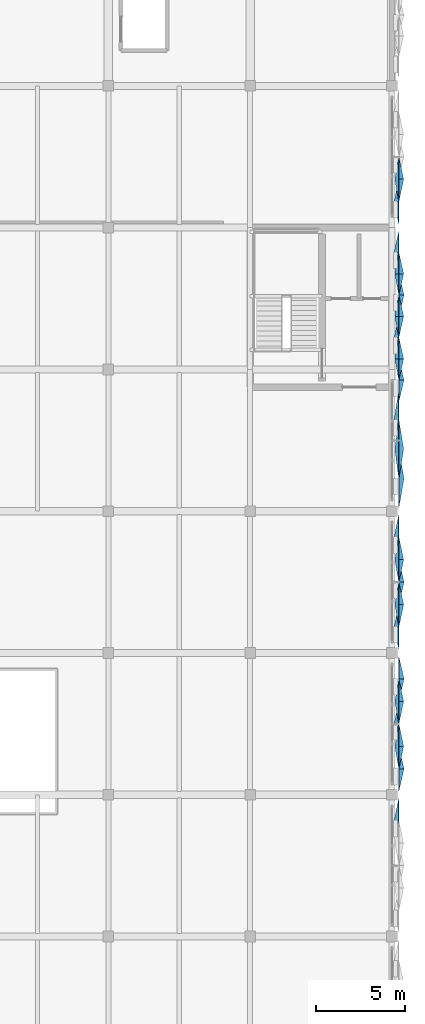
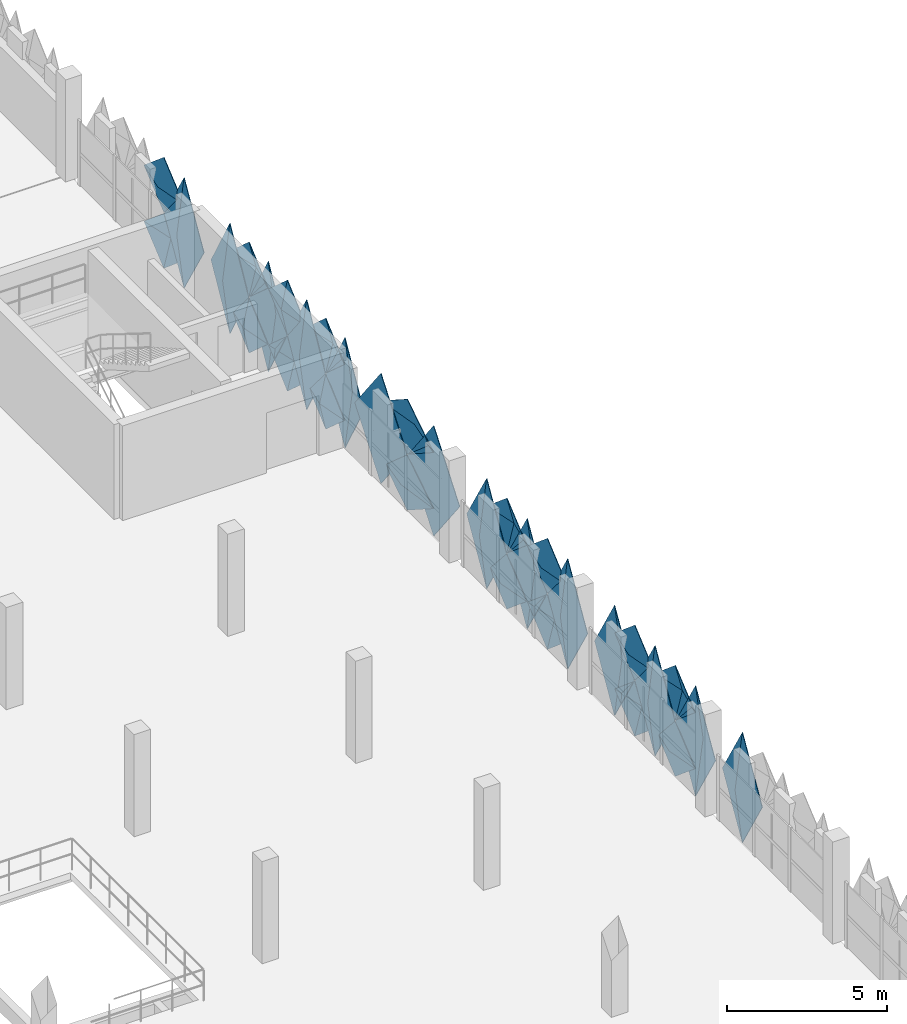
# One storey, part 97 of 123: 32 plates.
"""IFC4 building model written with IfcOpenShell, lengths in metres."""

from ifc_helpers import new_model, si_unit, derived_unit, direction, frame, origin, place, context, subcontext, project, spatial, polygons, material, layer, layer_set, type_object, element, save


model = new_model("IFC4")

# Units and contexts
model_context = context("Model", 3, precision=1e-05, world=origin(), true_north=direction((0.0, 1.0)))
body_context = subcontext(model_context, "Body", "Model", "MODEL_VIEW")
ifc_project = project(units=[si_unit("LENGTHUNIT", "METRE"), si_unit("AREAUNIT", "SQUARE_METRE"), si_unit("VOLUMEUNIT", "CUBIC_METRE"), si_unit("PLANEANGLEUNIT", "RADIAN"), si_unit("MASSUNIT", "GRAM", prefix="KILO"), si_unit("THERMODYNAMICTEMPERATUREUNIT", "KELVIN"), derived_unit("THERMALTRANSMITTANCEUNIT", [(si_unit("POWERUNIT", "WATT"), 1), (si_unit("AREAUNIT", "SQUARE_METRE"), -1), (si_unit("THERMODYNAMICTEMPERATUREUNIT", "KELVIN"), -1)])], contexts=[model_context])

# Site, building, storey
site_placement = place(None, origin())
site = spatial("IfcSite", under=ifc_project, at=site_placement, CompositionType="ELEMENT")
building_placement = place(site_placement, origin())
building = spatial("IfcBuilding", under=site, at=building_placement, Name="Haiyu Intermodal Mobility Hub", CompositionType="ELEMENT")
storey_placement = place(building_placement, frame((0.0, 0.0, 5.60009765625)))
storey = spatial("IfcBuildingStorey", under=building, at=storey_placement, Name="L01", CompositionType="ELEMENT", Elevation=5.60009765625)

# Plates
ifc_material = material(Name="Anodised aluminium 6063-T6", Category="aluminium")
ifc_layer_1 = layer(ifc_material, 0.02001953125)
ifc_layer_set_1 = layer_set([ifc_layer_1], Name="Anodised aluminium 6063-T6")
plate_type_1 = type_object("IfcPlateType", Name="PLT-FC02", PredefinedType="USERDEFINED", material=ifc_layer_set_1)
plate_1_placement = place(storey_placement, origin())
element("IfcPlate", 1, at=plate_1_placement, inside=storey, type_object=plate_type_1, Name="PLT-PYR-1367", ObjectType="FACADE CASSETTE", PredefinedType="USERDEFINED", context=body_context, shape_type="Tessellation", body=[
    polygons([(210.39990234375, 70.60009765625, -0.510009765625), (210.39990234375, 71.780029296875, 1.599853515625), (210.39990234375, 70.60009765625, 3.7099609375), (210.39990234375, 69.419921875, 1.599853515625), (210.139892578125, 70.60009765625, 1.599853515625), (210.3779296875, 70.60009765625, -0.510009765625), (210.3779296875, 71.780029296875, 1.599853515625), (210.3779296875, 70.60009765625, 3.7099609375), (210.3779296875, 69.419921875, 1.599853515625), (210.117919921875, 70.60009765625, 1.599853515625)], [[[1, 2, 5]], [[2, 3, 5]], [[3, 4, 5]], [[4, 1, 5]], [[7, 6, 10]], [[8, 7, 10]], [[9, 8, 10]], [[6, 9, 10]], [[1, 6, 7, 2]], [[2, 7, 8, 3]], [[3, 8, 9, 4]], [[4, 9, 6, 1]]], closed=True),
])
ifc_layer_2 = layer(ifc_material, 0.01806640625)
ifc_layer_set_2 = layer_set([ifc_layer_2], Name="Anodised aluminium 6063-T6")
plate_type_2 = type_object("IfcPlateType", Name="PLT-FC03", PredefinedType="USERDEFINED", material=ifc_layer_set_2)
plate_2_placement = place(storey_placement, origin())
element("IfcPlate", 2, at=plate_2_placement, inside=storey, type_object=plate_type_2, Name="PLT-PYR-1358", ObjectType="FACADE CASSETTE", PredefinedType="USERDEFINED", context=body_context, shape_type="Tessellation", body=[
    polygons([(210.39990234375, 63.39990234375, -0.510009765625), (210.39990234375, 64.580078125, 1.599853515625), (210.39990234375, 63.39990234375, 3.7099609375), (210.39990234375, 62.219970703125, 1.599853515625), (210.679931640625, 63.39990234375, 1.599853515625), (210.3779296875, 63.39990234375, -0.510009765625), (210.3779296875, 64.580078125, 1.599853515625), (210.3779296875, 63.39990234375, 3.7099609375), (210.3779296875, 62.219970703125, 1.599853515625), (210.657958984375, 63.39990234375, 1.599853515625)], [[[1, 2, 5]], [[2, 3, 5]], [[3, 4, 5]], [[4, 1, 5]], [[7, 6, 10]], [[8, 7, 10]], [[9, 8, 10]], [[6, 9, 10]], [[1, 6, 7, 2]], [[2, 7, 8, 3]], [[3, 8, 9, 4]], [[4, 9, 6, 1]]], closed=True),
])
plate_3_placement = place(storey_placement, origin())
element("IfcPlate", 3, at=plate_3_placement, inside=storey, type_object=plate_type_2, Name="PLT-PYR-1362", ObjectType="FACADE CASSETTE", PredefinedType="USERDEFINED", context=body_context, shape_type="Tessellation", body=[
    polygons([(210.39990234375, 67.0, -0.52001953125), (210.39990234375, 68.179931640625, 0.52978515625), (210.39990234375, 67.0, 1.579833984375), (210.39990234375, 65.820068359375, 0.52978515625), (210.659912109375, 67.0, 0.52978515625), (210.3779296875, 67.0, -0.52001953125), (210.3779296875, 68.179931640625, 0.52978515625), (210.3779296875, 67.0, 1.579833984375), (210.3779296875, 65.820068359375, 0.52978515625), (210.637939453125, 67.0, 0.52978515625)], [[[1, 2, 5]], [[2, 3, 5]], [[3, 4, 5]], [[4, 1, 5]], [[7, 6, 10]], [[8, 7, 10]], [[9, 8, 10]], [[6, 9, 10]], [[1, 6, 7, 2]], [[2, 7, 8, 3]], [[3, 8, 9, 4]], [[4, 9, 6, 1]]], closed=True),
])
plate_4_placement = place(storey_placement, origin())
element("IfcPlate", 4, at=plate_4_placement, inside=storey, type_object=plate_type_2, Name="PLT-PYR-1541", ObjectType="FACADE CASSETTE", PredefinedType="USERDEFINED", context=body_context, shape_type="Tessellation", body=[
    polygons([(210.39990234375, 41.467041015625, -0.510009765625), (210.39990234375, 42.712890625, 1.599853515625), (210.39990234375, 41.467041015625, 3.7099609375), (210.39990234375, 40.219970703125, 1.599853515625), (210.679931640625, 41.467041015625, 1.599853515625), (210.3779296875, 41.467041015625, -0.510009765625), (210.3779296875, 42.712890625, 1.599853515625), (210.3779296875, 41.467041015625, 3.7099609375), (210.3779296875, 40.219970703125, 1.599853515625), (210.657958984375, 41.467041015625, 1.599853515625)], [[[1, 2, 5]], [[2, 3, 5]], [[3, 4, 5]], [[4, 1, 5]], [[7, 6, 10]], [[8, 7, 10]], [[9, 8, 10]], [[6, 9, 10]], [[1, 6, 7, 2]], [[2, 7, 8, 3]], [[3, 8, 9, 4]], [[4, 9, 6, 1]]], closed=True),
])
plate_5_placement = place(storey_placement, origin())
element("IfcPlate", 5, at=plate_5_placement, inside=storey, type_object=plate_type_2, Name="PLT-PYR-1545", ObjectType="FACADE CASSETTE", PredefinedType="USERDEFINED", context=body_context, shape_type="Tessellation", body=[
    polygons([(210.39990234375, 45.26708984375, -0.52001953125), (210.39990234375, 46.512939453125, 0.52978515625), (210.39990234375, 45.26708984375, 1.579833984375), (210.39990234375, 44.02001953125, 0.52978515625), (210.659912109375, 45.26708984375, 0.52978515625), (210.3779296875, 45.26708984375, -0.52001953125), (210.3779296875, 46.512939453125, 0.52978515625), (210.3779296875, 45.26708984375, 1.579833984375), (210.3779296875, 44.02001953125, 0.52978515625), (210.637939453125, 45.26708984375, 0.52978515625)], [[[1, 2, 5]], [[2, 3, 5]], [[3, 4, 5]], [[4, 1, 5]], [[7, 6, 10]], [[8, 7, 10]], [[9, 8, 10]], [[6, 9, 10]], [[1, 6, 7, 2]], [[2, 7, 8, 3]], [[3, 8, 9, 4]], [[4, 9, 6, 1]]], closed=True),
])
plate_6_placement = place(storey_placement, origin())
element("IfcPlate", 6, at=plate_6_placement, inside=storey, type_object=plate_type_2, Name="PLT-PYR-1549", ObjectType="FACADE CASSETTE", PredefinedType="USERDEFINED", context=body_context, shape_type="Tessellation", body=[
    polygons([(210.39990234375, 50.73291015625, -0.52001953125), (210.39990234375, 51.97998046875, 0.52978515625), (210.39990234375, 50.73291015625, 1.579833984375), (210.39990234375, 49.487060546875, 0.52978515625), (210.659912109375, 50.73291015625, 0.52978515625), (210.3779296875, 50.73291015625, -0.52001953125), (210.3779296875, 51.97998046875, 0.52978515625), (210.3779296875, 50.73291015625, 1.579833984375), (210.3779296875, 49.487060546875, 0.52978515625), (210.637939453125, 50.73291015625, 0.52978515625)], [[[1, 2, 5]], [[2, 3, 5]], [[3, 4, 5]], [[4, 1, 5]], [[7, 6, 10]], [[8, 7, 10]], [[9, 8, 10]], [[6, 9, 10]], [[1, 6, 7, 2]], [[2, 7, 8, 3]], [[3, 8, 9, 4]], [[4, 9, 6, 1]]], closed=True),
])
plate_7_placement = place(storey_placement, origin())
element("IfcPlate", 7, at=plate_7_placement, inside=storey, type_object=plate_type_2, Name="PLT-PYR-1555", ObjectType="FACADE CASSETTE", PredefinedType="USERDEFINED", context=body_context, shape_type="Tessellation", body=[
    polygons([(210.39990234375, 57.85009765625, -0.510009765625), (210.39990234375, 59.47998046875, 1.599853515625), (210.39990234375, 57.85009765625, 3.7099609375), (210.39990234375, 56.219970703125, 1.599853515625), (210.679931640625, 57.85009765625, 1.599853515625), (210.3779296875, 57.85009765625, -0.510009765625), (210.3779296875, 59.47998046875, 1.599853515625), (210.3779296875, 57.85009765625, 3.7099609375), (210.3779296875, 56.219970703125, 1.599853515625), (210.657958984375, 57.85009765625, 1.599853515625)], [[[1, 2, 5]], [[2, 3, 5]], [[3, 4, 5]], [[4, 1, 5]], [[7, 6, 10]], [[8, 7, 10]], [[9, 8, 10]], [[6, 9, 10]], [[1, 6, 7, 2]], [[2, 7, 8, 3]], [[3, 8, 9, 4]], [[4, 9, 6, 1]]], closed=True),
])
plate_8_placement = place(storey_placement, origin())
element("IfcPlate", 8, at=plate_8_placement, inside=storey, type_object=plate_type_2, Name="PLT-PYR-1560", ObjectType="FACADE CASSETTE", PredefinedType="USERDEFINED", context=body_context, shape_type="Tessellation", body=[
    polygons([(210.39990234375, 74.73291015625, -0.52001953125), (210.39990234375, 75.97998046875, 0.52978515625), (210.39990234375, 74.73291015625, 1.579833984375), (210.39990234375, 73.487060546875, 0.52978515625), (210.659912109375, 74.73291015625, 0.52978515625), (210.3779296875, 74.73291015625, -0.52001953125), (210.3779296875, 75.97998046875, 0.52978515625), (210.3779296875, 74.73291015625, 1.579833984375), (210.3779296875, 73.487060546875, 0.52978515625), (210.637939453125, 74.73291015625, 0.52978515625)], [[[1, 2, 5]], [[2, 3, 5]], [[3, 4, 5]], [[4, 1, 5]], [[7, 6, 10]], [[8, 7, 10]], [[9, 8, 10]], [[6, 9, 10]], [[1, 6, 7, 2]], [[2, 7, 8, 3]], [[3, 8, 9, 4]], [[4, 9, 6, 1]]], closed=True),
])
ifc_layer_3 = layer(ifc_material, 0.02001953125)
ifc_layer_set_3 = layer_set([ifc_layer_3], Name="Anodised aluminium 6063-T6")
plate_type_3 = type_object("IfcPlateType", Name="PLT-FC04", PredefinedType="USERDEFINED", material=ifc_layer_set_3)
plate_9_placement = place(storey_placement, origin())
element("IfcPlate", 9, at=plate_9_placement, inside=storey, type_object=plate_type_3, Name="PLT-PYR-1359", ObjectType="FACADE CASSETTE", PredefinedType="USERDEFINED", context=body_context, shape_type="Tessellation", body=[
    polygons([(210.39990234375, 64.60009765625, -0.52001953125), (210.39990234375, 65.780029296875, 0.52978515625), (210.39990234375, 64.60009765625, 1.579833984375), (210.39990234375, 63.419921875, 0.52978515625), (210.179931640625, 64.60009765625, 0.52978515625), (210.3779296875, 64.60009765625, -0.52001953125), (210.3779296875, 65.780029296875, 0.52978515625), (210.3779296875, 64.60009765625, 1.579833984375), (210.3779296875, 63.419921875, 0.52978515625), (210.157958984375, 64.60009765625, 0.52978515625)], [[[1, 2, 5]], [[2, 3, 5]], [[3, 4, 5]], [[4, 1, 5]], [[7, 6, 10]], [[8, 7, 10]], [[9, 8, 10]], [[6, 9, 10]], [[1, 6, 7, 2]], [[2, 7, 8, 3]], [[3, 8, 9, 4]], [[4, 9, 6, 1]]], closed=True),
])
plate_10_placement = place(storey_placement, origin())
element("IfcPlate", 10, at=plate_10_placement, inside=storey, type_object=plate_type_3, Name="PLT-PYR-1365", ObjectType="FACADE CASSETTE", PredefinedType="USERDEFINED", context=body_context, shape_type="Tessellation", body=[
    polygons([(210.39990234375, 69.39990234375, -0.52001953125), (210.39990234375, 70.580078125, 0.52978515625), (210.39990234375, 69.39990234375, 1.579833984375), (210.39990234375, 68.219970703125, 0.52978515625), (210.179931640625, 69.39990234375, 0.52978515625), (210.3779296875, 69.39990234375, -0.52001953125), (210.3779296875, 70.580078125, 0.52978515625), (210.3779296875, 69.39990234375, 1.579833984375), (210.3779296875, 68.219970703125, 0.52978515625), (210.157958984375, 69.39990234375, 0.52978515625)], [[[1, 2, 5]], [[2, 3, 5]], [[3, 4, 5]], [[4, 1, 5]], [[7, 6, 10]], [[8, 7, 10]], [[9, 8, 10]], [[6, 9, 10]], [[1, 6, 7, 2]], [[2, 7, 8, 3]], [[3, 8, 9, 4]], [[4, 9, 6, 1]]], closed=True),
])
plate_11_placement = place(storey_placement, origin())
element("IfcPlate", 11, at=plate_11_placement, inside=storey, type_object=plate_type_3, Name="PLT-PYR-1542", ObjectType="FACADE CASSETTE", PredefinedType="USERDEFINED", context=body_context, shape_type="Tessellation", body=[
    polygons([(210.39990234375, 42.73291015625, -0.52001953125), (210.39990234375, 43.97998046875, 0.52978515625), (210.39990234375, 42.73291015625, 1.579833984375), (210.39990234375, 41.487060546875, 0.52978515625), (210.179931640625, 42.73291015625, 0.52978515625), (210.3779296875, 42.73291015625, -0.52001953125), (210.3779296875, 43.97998046875, 0.52978515625), (210.3779296875, 42.73291015625, 1.579833984375), (210.3779296875, 41.487060546875, 0.52978515625), (210.157958984375, 42.73291015625, 0.52978515625)], [[[1, 2, 5]], [[2, 3, 5]], [[3, 4, 5]], [[4, 1, 5]], [[7, 6, 10]], [[8, 7, 10]], [[9, 8, 10]], [[6, 9, 10]], [[1, 6, 7, 2]], [[2, 7, 8, 3]], [[3, 8, 9, 4]], [[4, 9, 6, 1]]], closed=True),
])
plate_12_placement = place(storey_placement, origin())
element("IfcPlate", 12, at=plate_12_placement, inside=storey, type_object=plate_type_3, Name="PLT-PYR-1548", ObjectType="FACADE CASSETTE", PredefinedType="USERDEFINED", context=body_context, shape_type="Tessellation", body=[
    polygons([(210.39990234375, 49.467041015625, -0.510009765625), (210.39990234375, 50.712890625, 1.599853515625), (210.39990234375, 49.467041015625, 3.7099609375), (210.39990234375, 48.219970703125, 1.599853515625), (210.139892578125, 49.467041015625, 1.599853515625), (210.3779296875, 49.467041015625, -0.510009765625), (210.3779296875, 50.712890625, 1.599853515625), (210.3779296875, 49.467041015625, 3.7099609375), (210.3779296875, 48.219970703125, 1.599853515625), (210.117919921875, 49.467041015625, 1.599853515625)], [[[1, 2, 5]], [[2, 3, 5]], [[3, 4, 5]], [[4, 1, 5]], [[7, 6, 10]], [[8, 7, 10]], [[9, 8, 10]], [[6, 9, 10]], [[1, 6, 7, 2]], [[2, 7, 8, 3]], [[3, 8, 9, 4]], [[4, 9, 6, 1]]], closed=True),
])
plate_13_placement = place(storey_placement, origin())
element("IfcPlate", 13, at=plate_13_placement, inside=storey, type_object=plate_type_3, Name="PLT-PYR-1552", ObjectType="FACADE CASSETTE", PredefinedType="USERDEFINED", context=body_context, shape_type="Tessellation", body=[
    polygons([(210.39990234375, 53.26708984375, -0.52001953125), (210.39990234375, 54.512939453125, 0.52978515625), (210.39990234375, 53.26708984375, 1.579833984375), (210.39990234375, 52.02001953125, 0.52978515625), (210.179931640625, 53.26708984375, 0.52978515625), (210.3779296875, 53.26708984375, -0.52001953125), (210.3779296875, 54.512939453125, 0.52978515625), (210.3779296875, 53.26708984375, 1.579833984375), (210.3779296875, 52.02001953125, 0.52978515625), (210.157958984375, 53.26708984375, 0.52978515625)], [[[1, 2, 5]], [[2, 3, 5]], [[3, 4, 5]], [[4, 1, 5]], [[7, 6, 10]], [[8, 7, 10]], [[9, 8, 10]], [[6, 9, 10]], [[1, 6, 7, 2]], [[2, 7, 8, 3]], [[3, 8, 9, 4]], [[4, 9, 6, 1]]], closed=True),
])
plate_14_placement = place(storey_placement, origin())
element("IfcPlate", 14, at=plate_14_placement, inside=storey, type_object=plate_type_3, Name="PLT-PYR-1556", ObjectType="FACADE CASSETTE", PredefinedType="USERDEFINED", context=body_context, shape_type="Tessellation", body=[
    polygons([(210.39990234375, 59.5, -0.52001953125), (210.39990234375, 61.1298828125, 0.52978515625), (210.39990234375, 59.5, 1.579833984375), (210.39990234375, 57.8701171875, 0.52978515625), (210.179931640625, 59.5, 0.52978515625), (210.3779296875, 59.5, -0.52001953125), (210.3779296875, 61.1298828125, 0.52978515625), (210.3779296875, 59.5, 1.579833984375), (210.3779296875, 57.8701171875, 0.52978515625), (210.157958984375, 59.5, 0.52978515625)], [[[1, 2, 5]], [[2, 3, 5]], [[3, 4, 5]], [[4, 1, 5]], [[7, 6, 10]], [[8, 7, 10]], [[9, 8, 10]], [[6, 9, 10]], [[1, 6, 7, 2]], [[2, 7, 8, 3]], [[3, 8, 9, 4]], [[4, 9, 6, 1]]], closed=True),
])
plate_15_placement = place(storey_placement, origin())
element("IfcPlate", 15, at=plate_15_placement, inside=storey, type_object=plate_type_3, Name="PLT-PYR-1559", ObjectType="FACADE CASSETTE", PredefinedType="USERDEFINED", context=body_context, shape_type="Tessellation", body=[
    polygons([(210.39990234375, 73.467041015625, -0.510009765625), (210.39990234375, 74.712890625, 1.599853515625), (210.39990234375, 73.467041015625, 3.7099609375), (210.39990234375, 72.219970703125, 1.599853515625), (210.139892578125, 73.467041015625, 1.599853515625), (210.3779296875, 73.467041015625, -0.510009765625), (210.3779296875, 74.712890625, 1.599853515625), (210.3779296875, 73.467041015625, 3.7099609375), (210.3779296875, 72.219970703125, 1.599853515625), (210.117919921875, 73.467041015625, 1.599853515625)], [[[1, 2, 5]], [[2, 3, 5]], [[3, 4, 5]], [[4, 1, 5]], [[7, 6, 10]], [[8, 7, 10]], [[9, 8, 10]], [[6, 9, 10]], [[1, 6, 7, 2]], [[2, 7, 8, 3]], [[3, 8, 9, 4]], [[4, 9, 6, 1]]], closed=True),
])
ifc_layer_4 = layer(ifc_material, 0.01806640625)
ifc_layer_set_4 = layer_set([ifc_layer_4], Name="Anodised aluminium 6063-T6")
plate_type_4 = type_object("IfcPlateType", Name="PLT-FC05", PredefinedType="USERDEFINED", material=ifc_layer_set_4)
plate_16_placement = place(storey_placement, origin())
element("IfcPlate", 16, at=plate_16_placement, inside=storey, type_object=plate_type_4, Name="PLT-PYR-1360", ObjectType="FACADE CASSETTE", PredefinedType="USERDEFINED", context=body_context, shape_type="Tessellation", body=[
    polygons([(210.39990234375, 64.60009765625, 1.619873046875), (210.39990234375, 65.780029296875, 2.669921875), (210.39990234375, 64.60009765625, 3.719970703125), (210.39990234375, 63.419921875, 2.669921875), (210.659912109375, 64.60009765625, 2.669921875), (210.3779296875, 64.60009765625, 1.619873046875), (210.3779296875, 65.780029296875, 2.669921875), (210.3779296875, 64.60009765625, 3.719970703125), (210.3779296875, 63.419921875, 2.669921875), (210.637939453125, 64.60009765625, 2.669921875)], [[[1, 2, 5]], [[2, 3, 5]], [[3, 4, 5]], [[4, 1, 5]], [[7, 6, 10]], [[8, 7, 10]], [[9, 8, 10]], [[6, 9, 10]], [[1, 6, 7, 2]], [[2, 7, 8, 3]], [[3, 8, 9, 4]], [[4, 9, 6, 1]]], closed=True),
])
plate_17_placement = place(storey_placement, origin())
element("IfcPlate", 17, at=plate_17_placement, inside=storey, type_object=plate_type_4, Name="PLT-PYR-1366", ObjectType="FACADE CASSETTE", PredefinedType="USERDEFINED", context=body_context, shape_type="Tessellation", body=[
    polygons([(210.39990234375, 69.39990234375, 1.619873046875), (210.39990234375, 70.580078125, 2.669921875), (210.39990234375, 69.39990234375, 3.719970703125), (210.39990234375, 68.219970703125, 2.669921875), (210.659912109375, 69.39990234375, 2.669921875), (210.3779296875, 69.39990234375, 1.619873046875), (210.3779296875, 70.580078125, 2.669921875), (210.3779296875, 69.39990234375, 3.719970703125), (210.3779296875, 68.219970703125, 2.669921875), (210.637939453125, 69.39990234375, 2.669921875)], [[[1, 2, 5]], [[2, 3, 5]], [[3, 4, 5]], [[4, 1, 5]], [[7, 6, 10]], [[8, 7, 10]], [[9, 8, 10]], [[6, 9, 10]], [[1, 6, 7, 2]], [[2, 7, 8, 3]], [[3, 8, 9, 4]], [[4, 9, 6, 1]]], closed=True),
])
plate_18_placement = place(storey_placement, origin())
element("IfcPlate", 18, at=plate_18_placement, inside=storey, type_object=plate_type_4, Name="PLT-PYR-1543", ObjectType="FACADE CASSETTE", PredefinedType="USERDEFINED", context=body_context, shape_type="Tessellation", body=[
    polygons([(210.39990234375, 42.73291015625, 1.619873046875), (210.39990234375, 43.97998046875, 2.669921875), (210.39990234375, 42.73291015625, 3.719970703125), (210.39990234375, 41.487060546875, 2.669921875), (210.659912109375, 42.73291015625, 2.669921875), (210.3779296875, 42.73291015625, 1.619873046875), (210.3779296875, 43.97998046875, 2.669921875), (210.3779296875, 42.73291015625, 3.719970703125), (210.3779296875, 41.487060546875, 2.669921875), (210.637939453125, 42.73291015625, 2.669921875)], [[[1, 2, 5]], [[2, 3, 5]], [[3, 4, 5]], [[4, 1, 5]], [[7, 6, 10]], [[8, 7, 10]], [[9, 8, 10]], [[6, 9, 10]], [[1, 6, 7, 2]], [[2, 7, 8, 3]], [[3, 8, 9, 4]], [[4, 9, 6, 1]]], closed=True),
])
plate_19_placement = place(storey_placement, origin())
element("IfcPlate", 19, at=plate_19_placement, inside=storey, type_object=plate_type_4, Name="PLT-PYR-1551", ObjectType="FACADE CASSETTE", PredefinedType="USERDEFINED", context=body_context, shape_type="Tessellation", body=[
    polygons([(210.39990234375, 52.0, -0.510009765625), (210.39990234375, 53.2470703125, 1.599853515625), (210.39990234375, 52.0, 3.7099609375), (210.39990234375, 50.7529296875, 1.599853515625), (210.679931640625, 52.0, 1.599853515625), (210.3779296875, 52.0, -0.510009765625), (210.3779296875, 53.2470703125, 1.599853515625), (210.3779296875, 52.0, 3.7099609375), (210.3779296875, 50.7529296875, 1.599853515625), (210.657958984375, 52.0, 1.599853515625)], [[[1, 2, 5]], [[2, 3, 5]], [[3, 4, 5]], [[4, 1, 5]], [[7, 6, 10]], [[8, 7, 10]], [[9, 8, 10]], [[6, 9, 10]], [[1, 6, 7, 2]], [[2, 7, 8, 3]], [[3, 8, 9, 4]], [[4, 9, 6, 1]]], closed=True),
])
plate_20_placement = place(storey_placement, origin())
element("IfcPlate", 20, at=plate_20_placement, inside=storey, type_object=plate_type_4, Name="PLT-PYR-1553", ObjectType="FACADE CASSETTE", PredefinedType="USERDEFINED", context=body_context, shape_type="Tessellation", body=[
    polygons([(210.39990234375, 53.26708984375, 1.619873046875), (210.39990234375, 54.512939453125, 2.669921875), (210.39990234375, 53.26708984375, 3.719970703125), (210.39990234375, 52.02001953125, 2.669921875), (210.659912109375, 53.26708984375, 2.669921875), (210.3779296875, 53.26708984375, 1.619873046875), (210.3779296875, 54.512939453125, 2.669921875), (210.3779296875, 53.26708984375, 3.719970703125), (210.3779296875, 52.02001953125, 2.669921875), (210.637939453125, 53.26708984375, 2.669921875)], [[[1, 2, 5]], [[2, 3, 5]], [[3, 4, 5]], [[4, 1, 5]], [[7, 6, 10]], [[8, 7, 10]], [[9, 8, 10]], [[6, 9, 10]], [[1, 6, 7, 2]], [[2, 7, 8, 3]], [[3, 8, 9, 4]], [[4, 9, 6, 1]]], closed=True),
])
plate_21_placement = place(storey_placement, origin())
element("IfcPlate", 21, at=plate_21_placement, inside=storey, type_object=plate_type_4, Name="PLT-PYR-1557", ObjectType="FACADE CASSETTE", PredefinedType="USERDEFINED", context=body_context, shape_type="Tessellation", body=[
    polygons([(210.39990234375, 59.5, 1.619873046875), (210.39990234375, 61.1298828125, 2.669921875), (210.39990234375, 59.5, 3.719970703125), (210.39990234375, 57.8701171875, 2.669921875), (210.659912109375, 59.5, 2.669921875), (210.3779296875, 59.5, 1.619873046875), (210.3779296875, 61.1298828125, 2.669921875), (210.3779296875, 59.5, 3.719970703125), (210.3779296875, 57.8701171875, 2.669921875), (210.637939453125, 59.5, 2.669921875)], [[[1, 2, 5]], [[2, 3, 5]], [[3, 4, 5]], [[4, 1, 5]], [[7, 6, 10]], [[8, 7, 10]], [[9, 8, 10]], [[6, 9, 10]], [[1, 6, 7, 2]], [[2, 7, 8, 3]], [[3, 8, 9, 4]], [[4, 9, 6, 1]]], closed=True),
])
ifc_layer_5 = layer(ifc_material, 0.02001953125)
ifc_layer_set_5 = layer_set([ifc_layer_5], Name="Anodised aluminium 6063-T6")
plate_type_5 = type_object("IfcPlateType", Name="PLT-FC06", PredefinedType="USERDEFINED", material=ifc_layer_set_5)
plate_22_placement = place(storey_placement, origin())
element("IfcPlate", 22, at=plate_22_placement, inside=storey, type_object=plate_type_5, Name="PLT-PYR-1361", ObjectType="FACADE CASSETTE", PredefinedType="USERDEFINED", context=body_context, shape_type="Tessellation", body=[
    polygons([(210.39990234375, 65.800048828125, -0.510009765625), (210.39990234375, 66.97998046875, 1.599853515625), (210.39990234375, 65.800048828125, 3.7099609375), (210.39990234375, 64.6201171875, 1.599853515625), (210.139892578125, 65.800048828125, 1.599853515625), (210.3779296875, 65.800048828125, -0.510009765625), (210.3779296875, 66.97998046875, 1.599853515625), (210.3779296875, 65.800048828125, 3.7099609375), (210.3779296875, 64.6201171875, 1.599853515625), (210.117919921875, 65.800048828125, 1.599853515625)], [[[1, 2, 5]], [[2, 3, 5]], [[3, 4, 5]], [[4, 1, 5]], [[7, 6, 10]], [[8, 7, 10]], [[9, 8, 10]], [[6, 9, 10]], [[1, 6, 7, 2]], [[2, 7, 8, 3]], [[3, 8, 9, 4]], [[4, 9, 6, 1]]], closed=True),
])
plate_23_placement = place(storey_placement, origin())
element("IfcPlate", 23, at=plate_23_placement, inside=storey, type_object=plate_type_5, Name="PLT-PYR-1363", ObjectType="FACADE CASSETTE", PredefinedType="USERDEFINED", context=body_context, shape_type="Tessellation", body=[
    polygons([(210.39990234375, 67.0, 1.619873046875), (210.39990234375, 68.179931640625, 2.669921875), (210.39990234375, 67.0, 3.719970703125), (210.39990234375, 65.820068359375, 2.669921875), (210.179931640625, 67.0, 2.669921875), (210.3779296875, 67.0, 1.619873046875), (210.3779296875, 68.179931640625, 2.669921875), (210.3779296875, 67.0, 3.719970703125), (210.3779296875, 65.820068359375, 2.669921875), (210.157958984375, 67.0, 2.669921875)], [[[1, 2, 5]], [[2, 3, 5]], [[3, 4, 5]], [[4, 1, 5]], [[7, 6, 10]], [[8, 7, 10]], [[9, 8, 10]], [[6, 9, 10]], [[1, 6, 7, 2]], [[2, 7, 8, 3]], [[3, 8, 9, 4]], [[4, 9, 6, 1]]], closed=True),
])
plate_24_placement = place(storey_placement, origin())
element("IfcPlate", 24, at=plate_24_placement, inside=storey, type_object=plate_type_5, Name="PLT-PYR-1544", ObjectType="FACADE CASSETTE", PredefinedType="USERDEFINED", context=body_context, shape_type="Tessellation", body=[
    polygons([(210.39990234375, 44.0, -0.510009765625), (210.39990234375, 45.2470703125, 1.599853515625), (210.39990234375, 44.0, 3.7099609375), (210.39990234375, 42.7529296875, 1.599853515625), (210.139892578125, 44.0, 1.599853515625), (210.3779296875, 44.0, -0.510009765625), (210.3779296875, 45.2470703125, 1.599853515625), (210.3779296875, 44.0, 3.7099609375), (210.3779296875, 42.7529296875, 1.599853515625), (210.117919921875, 44.0, 1.599853515625)], [[[1, 2, 5]], [[2, 3, 5]], [[3, 4, 5]], [[4, 1, 5]], [[7, 6, 10]], [[8, 7, 10]], [[9, 8, 10]], [[6, 9, 10]], [[1, 6, 7, 2]], [[2, 7, 8, 3]], [[3, 8, 9, 4]], [[4, 9, 6, 1]]], closed=True),
])
plate_25_placement = place(storey_placement, origin())
element("IfcPlate", 25, at=plate_25_placement, inside=storey, type_object=plate_type_5, Name="PLT-PYR-1546", ObjectType="FACADE CASSETTE", PredefinedType="USERDEFINED", context=body_context, shape_type="Tessellation", body=[
    polygons([(210.39990234375, 45.26708984375, 1.619873046875), (210.39990234375, 46.512939453125, 2.669921875), (210.39990234375, 45.26708984375, 3.719970703125), (210.39990234375, 44.02001953125, 2.669921875), (210.179931640625, 45.26708984375, 2.669921875), (210.3779296875, 45.26708984375, 1.619873046875), (210.3779296875, 46.512939453125, 2.669921875), (210.3779296875, 45.26708984375, 3.719970703125), (210.3779296875, 44.02001953125, 2.669921875), (210.157958984375, 45.26708984375, 2.669921875)], [[[1, 2, 5]], [[2, 3, 5]], [[3, 4, 5]], [[4, 1, 5]], [[7, 6, 10]], [[8, 7, 10]], [[9, 8, 10]], [[6, 9, 10]], [[1, 6, 7, 2]], [[2, 7, 8, 3]], [[3, 8, 9, 4]], [[4, 9, 6, 1]]], closed=True),
])
plate_26_placement = place(storey_placement, origin())
element("IfcPlate", 26, at=plate_26_placement, inside=storey, type_object=plate_type_5, Name="PLT-PYR-1550", ObjectType="FACADE CASSETTE", PredefinedType="USERDEFINED", context=body_context, shape_type="Tessellation", body=[
    polygons([(210.39990234375, 50.73291015625, 1.619873046875), (210.39990234375, 51.97998046875, 2.669921875), (210.39990234375, 50.73291015625, 3.719970703125), (210.39990234375, 49.487060546875, 2.669921875), (210.179931640625, 50.73291015625, 2.669921875), (210.3779296875, 50.73291015625, 1.619873046875), (210.3779296875, 51.97998046875, 2.669921875), (210.3779296875, 50.73291015625, 3.719970703125), (210.3779296875, 49.487060546875, 2.669921875), (210.157958984375, 50.73291015625, 2.669921875)], [[[1, 2, 5]], [[2, 3, 5]], [[3, 4, 5]], [[4, 1, 5]], [[7, 6, 10]], [[8, 7, 10]], [[9, 8, 10]], [[6, 9, 10]], [[1, 6, 7, 2]], [[2, 7, 8, 3]], [[3, 8, 9, 4]], [[4, 9, 6, 1]]], closed=True),
])
plate_27_placement = place(storey_placement, origin())
element("IfcPlate", 27, at=plate_27_placement, inside=storey, type_object=plate_type_5, Name="PLT-PYR-1558", ObjectType="FACADE CASSETTE", PredefinedType="USERDEFINED", context=body_context, shape_type="Tessellation", body=[
    polygons([(210.39990234375, 61.14990234375, -0.510009765625), (210.39990234375, 62.780029296875, 1.599853515625), (210.39990234375, 61.14990234375, 3.7099609375), (210.39990234375, 59.52001953125, 1.599853515625), (210.139892578125, 61.14990234375, 1.599853515625), (210.3779296875, 61.14990234375, -0.510009765625), (210.3779296875, 62.780029296875, 1.599853515625), (210.3779296875, 61.14990234375, 3.7099609375), (210.3779296875, 59.52001953125, 1.599853515625), (210.117919921875, 61.14990234375, 1.599853515625)], [[[1, 2, 5]], [[2, 3, 5]], [[3, 4, 5]], [[4, 1, 5]], [[7, 6, 10]], [[8, 7, 10]], [[9, 8, 10]], [[6, 9, 10]], [[1, 6, 7, 2]], [[2, 7, 8, 3]], [[3, 8, 9, 4]], [[4, 9, 6, 1]]], closed=True),
])
plate_28_placement = place(storey_placement, origin())
element("IfcPlate", 28, at=plate_28_placement, inside=storey, type_object=plate_type_5, Name="PLT-PYR-1561", ObjectType="FACADE CASSETTE", PredefinedType="USERDEFINED", context=body_context, shape_type="Tessellation", body=[
    polygons([(210.39990234375, 74.73291015625, 1.619873046875), (210.39990234375, 75.97998046875, 2.669921875), (210.39990234375, 74.73291015625, 3.719970703125), (210.39990234375, 73.487060546875, 2.669921875), (210.179931640625, 74.73291015625, 2.669921875), (210.3779296875, 74.73291015625, 1.619873046875), (210.3779296875, 75.97998046875, 2.669921875), (210.3779296875, 74.73291015625, 3.719970703125), (210.3779296875, 73.487060546875, 2.669921875), (210.157958984375, 74.73291015625, 2.669921875)], [[[1, 2, 5]], [[2, 3, 5]], [[3, 4, 5]], [[4, 1, 5]], [[7, 6, 10]], [[8, 7, 10]], [[9, 8, 10]], [[6, 9, 10]], [[1, 6, 7, 2]], [[2, 7, 8, 3]], [[3, 8, 9, 4]], [[4, 9, 6, 1]]], closed=True),
])
ifc_layer_6 = layer(ifc_material, 0.02197265625)
ifc_layer_set_6 = layer_set([ifc_layer_6], Name="Anodised aluminium 6063-T6")
plate_type_6 = type_object("IfcPlateType", Name="PLT-FC07", PredefinedType="USERDEFINED", material=ifc_layer_set_6)
plate_29_placement = place(storey_placement, origin())
element("IfcPlate", 29, at=plate_29_placement, inside=storey, type_object=plate_type_6, Name="PLT-PYR-1364", ObjectType="FACADE CASSETTE", PredefinedType="USERDEFINED", context=body_context, shape_type="Tessellation", body=[
    polygons([(210.39990234375, 68.199951171875, -0.510009765625), (210.39990234375, 69.3798828125, 1.599853515625), (210.39990234375, 68.199951171875, 3.7099609375), (210.39990234375, 67.02001953125, 1.599853515625), (210.679931640625, 68.199951171875, 1.599853515625), (210.3779296875, 68.199951171875, -0.510009765625), (210.3779296875, 69.3798828125, 1.599853515625), (210.3779296875, 68.199951171875, 3.7099609375), (210.3779296875, 67.02001953125, 1.599853515625), (210.657958984375, 68.199951171875, 1.599853515625)], [[[1, 2, 5]], [[2, 3, 5]], [[3, 4, 5]], [[4, 1, 5]], [[7, 6, 10]], [[8, 7, 10]], [[9, 8, 10]], [[6, 9, 10]], [[1, 6, 7, 2]], [[2, 7, 8, 3]], [[3, 8, 9, 4]], [[4, 9, 6, 1]]], closed=True),
])
plate_30_placement = place(storey_placement, origin())
element("IfcPlate", 30, at=plate_30_placement, inside=storey, type_object=plate_type_6, Name="PLT-PYR-1547", ObjectType="FACADE CASSETTE", PredefinedType="USERDEFINED", context=body_context, shape_type="Tessellation", body=[
    polygons([(210.39990234375, 46.532958984375, -0.510009765625), (210.39990234375, 47.780029296875, 1.599853515625), (210.39990234375, 46.532958984375, 3.7099609375), (210.39990234375, 45.287109375, 1.599853515625), (210.679931640625, 46.532958984375, 1.599853515625), (210.3779296875, 46.532958984375, -0.510009765625), (210.3779296875, 47.780029296875, 1.599853515625), (210.3779296875, 46.532958984375, 3.7099609375), (210.3779296875, 45.287109375, 1.599853515625), (210.657958984375, 46.532958984375, 1.599853515625)], [[[1, 2, 5]], [[2, 3, 5]], [[3, 4, 5]], [[4, 1, 5]], [[7, 6, 10]], [[8, 7, 10]], [[9, 8, 10]], [[6, 9, 10]], [[1, 6, 7, 2]], [[2, 7, 8, 3]], [[3, 8, 9, 4]], [[4, 9, 6, 1]]], closed=True),
])
ifc_layer_7 = layer(ifc_material, 0.02392578125)
ifc_layer_set_7 = layer_set([ifc_layer_7], Name="Anodised aluminium 6063-T6")
plate_type_7 = type_object("IfcPlateType", Name="PLT-FC08", PredefinedType="USERDEFINED", material=ifc_layer_set_7)
plate_31_placement = place(storey_placement, origin())
element("IfcPlate", 31, at=plate_31_placement, inside=storey, type_object=plate_type_7, Name="PLT-PYR-1540", ObjectType="FACADE CASSETTE", PredefinedType="USERDEFINED", context=body_context, shape_type="Tessellation", body=[
    polygons([(210.39990234375, 38.532958984375, -0.510009765625), (210.39990234375, 39.780029296875, 1.599853515625), (210.39990234375, 38.532958984375, 3.7099609375), (210.39990234375, 37.287109375, 1.599853515625), (210.139892578125, 38.532958984375, 1.599853515625), (210.3779296875, 38.532958984375, -0.510009765625), (210.3779296875, 39.780029296875, 1.599853515625), (210.3779296875, 38.532958984375, 3.7099609375), (210.3779296875, 37.287109375, 1.599853515625), (210.117919921875, 38.532958984375, 1.599853515625)], [[[1, 2, 5]], [[2, 3, 5]], [[3, 4, 5]], [[4, 1, 5]], [[7, 6, 10]], [[8, 7, 10]], [[9, 8, 10]], [[6, 9, 10]], [[1, 6, 7, 2]], [[2, 7, 8, 3]], [[3, 8, 9, 4]], [[4, 9, 6, 1]]], closed=True),
])
plate_32_placement = place(storey_placement, origin())
element("IfcPlate", 32, at=plate_32_placement, inside=storey, type_object=plate_type_7, Name="PLT-PYR-1554", ObjectType="FACADE CASSETTE", PredefinedType="USERDEFINED", context=body_context, shape_type="Tessellation", body=[
    polygons([(210.39990234375, 54.532958984375, -0.510009765625), (210.39990234375, 55.780029296875, 1.599853515625), (210.39990234375, 54.532958984375, 3.7099609375), (210.39990234375, 53.287109375, 1.599853515625), (210.139892578125, 54.532958984375, 1.599853515625), (210.3779296875, 54.532958984375, -0.510009765625), (210.3779296875, 55.780029296875, 1.599853515625), (210.3779296875, 54.532958984375, 3.7099609375), (210.3779296875, 53.287109375, 1.599853515625), (210.117919921875, 54.532958984375, 1.599853515625)], [[[1, 2, 5]], [[2, 3, 5]], [[3, 4, 5]], [[4, 1, 5]], [[7, 6, 10]], [[8, 7, 10]], [[9, 8, 10]], [[6, 9, 10]], [[1, 6, 7, 2]], [[2, 7, 8, 3]], [[3, 8, 9, 4]], [[4, 9, 6, 1]]], closed=True),
])

save(model, "model.ifc")
